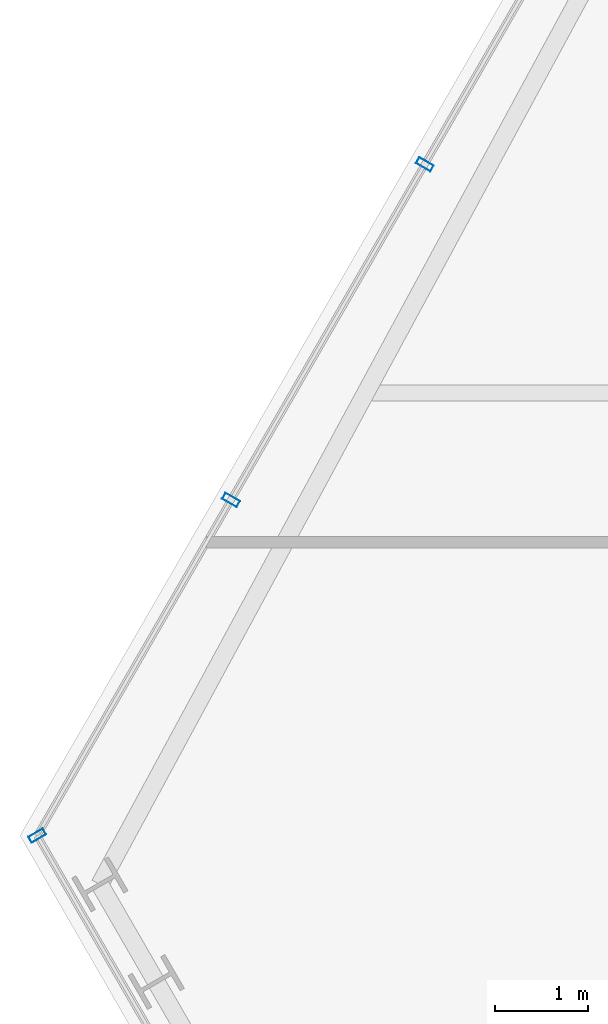
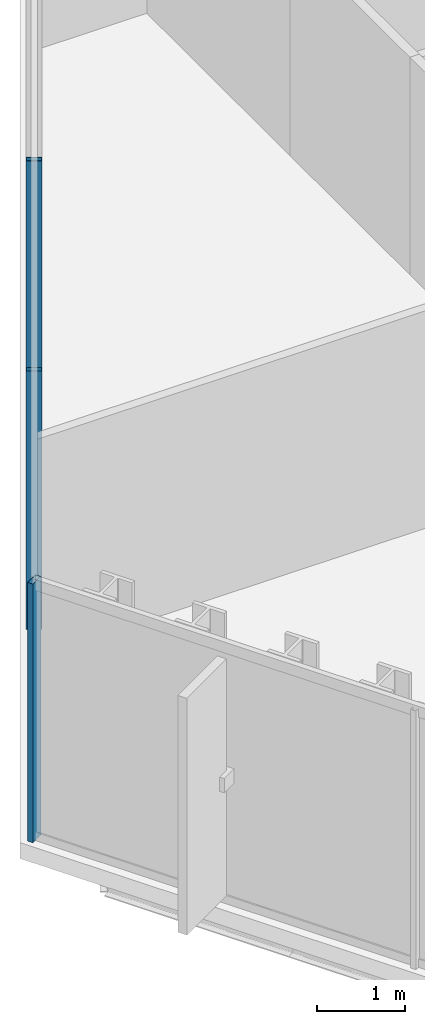
# One storey, part 5 of 35: 3 members, 2 elements without a shape of their own.
"""IFC4 building model written with IfcOpenShell, lengths in metres."""

from ifc_helpers import new_model, si_unit, direction, frame, origin, origin_2d, place, context, subcontext, project, spatial, hollow_rectangle, extrude, material, layer, layer_set, material_profile, profile_set, type_object, element, aggregate, save


model = new_model("IFC4")

# Units and contexts
model_context = context("Model", 3, precision=1e-05, world=origin(), true_north=direction((0.0, 1.0)))
body_context = subcontext(model_context, "Body", "Model", "MODEL_VIEW")
ifc_project = project(units=[si_unit("LENGTHUNIT", "METRE"), si_unit("AREAUNIT", "SQUARE_METRE"), si_unit("VOLUMEUNIT", "CUBIC_METRE"), si_unit("PLANEANGLEUNIT", "RADIAN"), si_unit("MASSUNIT", "GRAM", prefix="KILO")], contexts=[model_context])

# Site, building, storey
site_placement = place(None, origin())
site = spatial("IfcSite", under=ifc_project, at=site_placement, CompositionType="ELEMENT")
building_placement = place(site_placement, origin())
building = spatial("IfcBuilding", under=site, at=building_placement, Name="Ndaravel Arena Tower", CompositionType="ELEMENT")
storey_placement = place(building_placement, frame((0.0, 0.0, 176.39990234375)))
storey = spatial("IfcBuildingStorey", under=building, at=storey_placement, Name="L42", CompositionType="ELEMENT", Elevation=176.39990234375)

# Curtain wall, members
ifc_material_1 = material(Name="Aluminium", Category="aluminium")
ifc_layer_1 = layer(ifc_material_1, 0.179931640625)
ifc_layer_set_1 = layer_set([ifc_layer_1], Name="Aluminium")
curtain_wall_type_1 = type_object("IfcCurtainWallType", Name="CW-SYS-03", PredefinedType="NOTDEFINED", material=ifc_layer_set_1)
curtain_wall_1_placement = place(storey_placement, origin())
curtain_wall_1 = element("IfcCurtainWall", 1, at=curtain_wall_1_placement, inside=storey, type_object=curtain_wall_type_1, Name="L42 Faceted Crystal Curtain Wall CW-L42-E05", PredefinedType="NOTDEFINED")
ifc_material_2 = material(Name="Aluminium", Category="aluminium")
ifc_material_profile = material_profile(ifc_material_2, hollow_rectangle(XDim=0.074951171875, YDim=0.179931640625, WallThickness=0.00390625, at=origin_2d()), Name="CW MULLION 75x180x4")
ifc_profile_set = profile_set([ifc_material_profile], Name="Aluminium")
member_type = type_object("IfcMemberType", Name="MEM-CW-MUL180", PredefinedType="MULLION", material=ifc_profile_set)
member_1_placement = place(storey_placement, frame((22.43408203125, 21.052001953125, 0.0), z_axis=(0.0, 0.0, 1.0), x_axis=(-0.5, -0.866025403784, 0.0)))
member_1 = element("IfcMember", 2, at=member_1_placement, type_object=member_type, Name="CW-L42-E05 Mullion 07", PredefinedType="MULLION", context=body_context, shape_type="SweptSolid", body=[
    extrude(hollow_rectangle(XDim=0.074951171875, YDim=0.179931640625, WallThickness=0.00390625, at=origin_2d()), origin(), (0.0, 0.0, 1.0), 3.580078125),
])
member_2_placement = place(storey_placement, frame((20.35595703125, 17.452392578125, 0.0), z_axis=(0.0, 0.0, 1.0), x_axis=(-0.5, -0.866025403784, 0.0)))
member_2 = element("IfcMember", 3, at=member_2_placement, type_object=member_type, Name="CW-L42-E05 Mullion 08", PredefinedType="MULLION", context=body_context, shape_type="SweptSolid", body=[
    extrude(hollow_rectangle(XDim=0.074951171875, YDim=0.179931640625, WallThickness=0.00390625, at=origin_2d()), origin(), (0.0, 0.0, 1.0), 3.580078125),
])
aggregate(curtain_wall_1, [member_1, member_2])

# Curtain wall, member
ifc_material_3 = material(Name="Aluminium", Category="aluminium")
ifc_layer_2 = layer(ifc_material_3, 0.179931640625)
ifc_layer_set_2 = layer_set([ifc_layer_2], Name="Aluminium")
curtain_wall_type_2 = type_object("IfcCurtainWallType", Name="CW-SYS-02", PredefinedType="NOTDEFINED", material=ifc_layer_set_2)
curtain_wall_2_placement = place(storey_placement, origin())
curtain_wall_2 = element("IfcCurtainWall", 4, at=curtain_wall_2_placement, inside=storey, type_object=curtain_wall_type_2, Name="L42 Faceted Crystal Curtain Wall CW-L42-E06", PredefinedType="NOTDEFINED")
member_3_placement = place(storey_placement, frame((18.27783203125, 13.852783203125, 0.0), z_axis=(0.0, 0.0, 1.0), x_axis=(0.5, -0.866025403784, 0.0)))
member_3 = element("IfcMember", 5, at=member_3_placement, type_object=member_type, Name="CW-L42-E06 Mullion 00", PredefinedType="MULLION", context=body_context, shape_type="SweptSolid", body=[
    extrude(hollow_rectangle(XDim=0.074951171875, YDim=0.179931640625, WallThickness=0.00390625, at=origin_2d()), origin(), (0.0, 0.0, 1.0), 3.580078125),
])
aggregate(curtain_wall_2, [member_3])

save(model, "model.ifc")
